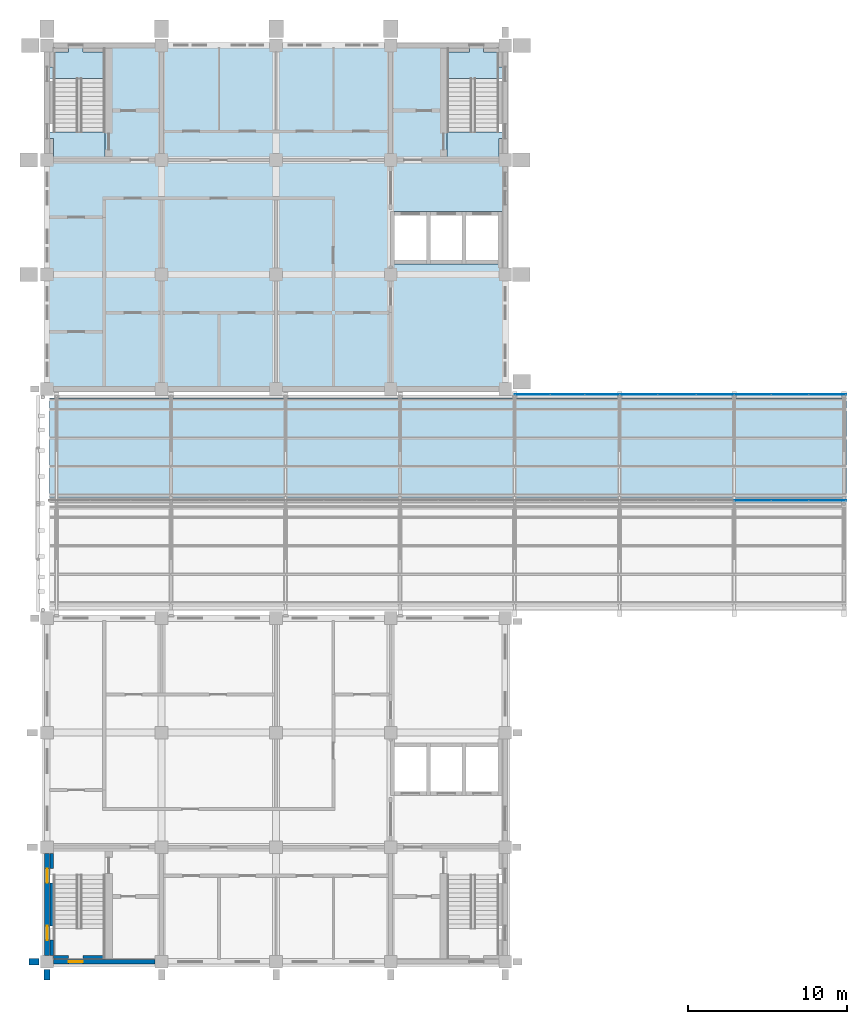
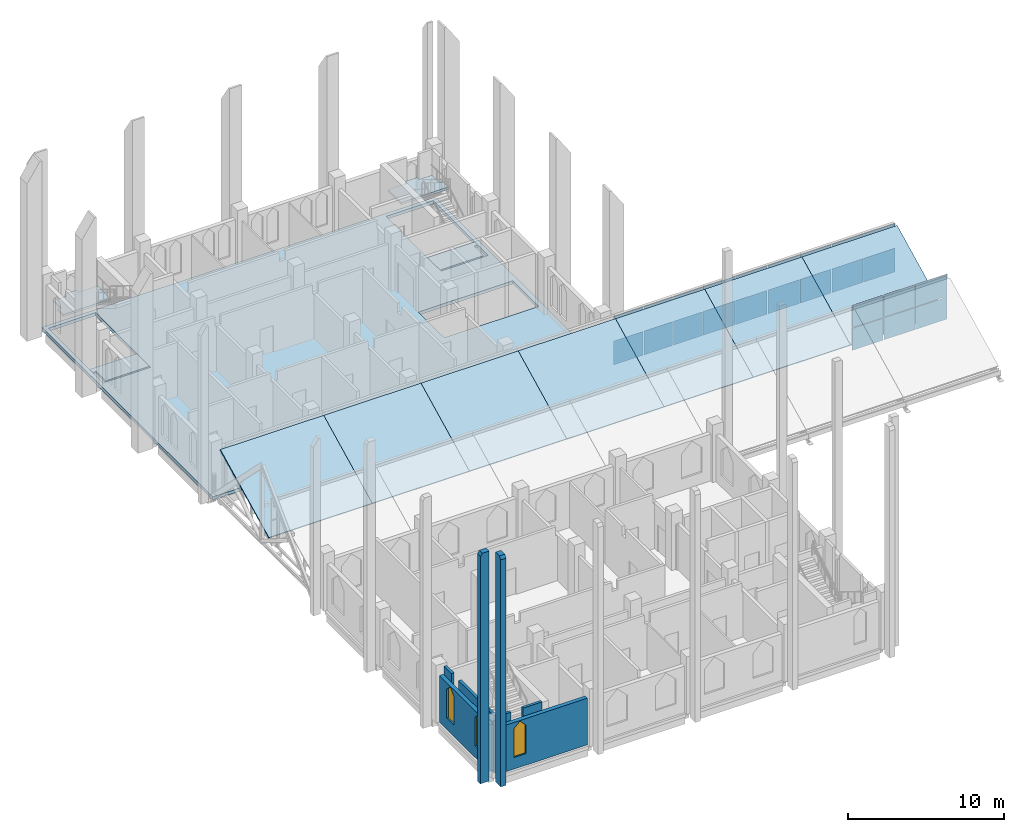
# One storey, part 17 of 29: 24 plates, 12 slabs, 9 walls, 3 windows, 3 openings, 6 elements without a shape of their own.
"""IFC4 building model written with IfcOpenShell, lengths in metres."""

from ifc_helpers import new_model, si_unit, direction, frame, frame_2d, origin, place, context, subcontext, project, spatial, polyline, rectangle, outline, extrude, material, layer, layer_set, type_object, element, fill, aggregate, save


model = new_model("IFC4")

# Units and contexts
model_context = context("Model", 3, precision=1e-05, world=origin(), true_north=direction((0.0, 1.0)))
body_context = subcontext(model_context, "Body", "Model", "MODEL_VIEW")
ifc_project = project(units=[si_unit("LENGTHUNIT", "METRE"), si_unit("AREAUNIT", "SQUARE_METRE"), si_unit("VOLUMEUNIT", "CUBIC_METRE"), si_unit("PLANEANGLEUNIT", "RADIAN"), si_unit("MASSUNIT", "GRAM", prefix="KILO")], contexts=[model_context])

# Site, building, storey
site_placement = place(None, origin())
site = spatial("IfcSite", under=ifc_project, at=site_placement, CompositionType="ELEMENT")
building_placement = place(site_placement, origin())
building = spatial("IfcBuilding", under=site, at=building_placement, Name="Silangan Lancet Faculty of Sciences", CompositionType="ELEMENT")
storey_placement = place(building_placement, frame((0.0, 0.0, 40.800048828125)))
storey = spatial("IfcBuildingStorey", under=building, at=storey_placement, Name="L08", CompositionType="ELEMENT", Elevation=40.800048828125)

# Curtain wall, plates
ifc_material_1 = material(Name="Aluminium and laminated glass", Category="aluminium")
curtain_wall_type = type_object("IfcCurtainWallType", Name="North light glazing system", PredefinedType="NOTDEFINED", material=ifc_material_1)
curtain_wall_1_placement = place(storey_placement, origin())
curtain_wall_1 = element("IfcCurtainWall", 1, at=curtain_wall_1_placement, inside=storey, type_object=curtain_wall_type, Name="North light glazing ATRIUM-2-5", PredefinedType="NOTDEFINED")
ifc_material_2 = material(Name="Laminated glass 12 + 12", Category="glass")
ifc_layer_1 = layer(ifc_material_2, 0.02392578125)
ifc_layer_set_1 = layer_set([ifc_layer_1], Name="Laminated glass 12 + 12")
plate_type_1 = type_object("IfcPlateType", Name="North light glass panel 2130x1864", PredefinedType="CURTAIN_PANEL", material=ifc_layer_set_1)
plate_1_placement = place(storey_placement, frame((31.64990234375, 35.64306640625, 0.099853515625), z_axis=(0.0, -1.0, 0.0), x_axis=(1.0, 0.0, 0.0)))
plate_1 = element("IfcPlate", 2, at=plate_1_placement, type_object=plate_type_1, Name="North light glass ATRIUM-2-5 1-2", PredefinedType="CURTAIN_PANEL", context=body_context, shape_type="SweptSolid", body=[
    extrude(outline(polyline([(0.0, 0.0), (2.130126953125, 0.0), (2.130126953125, 1.864013671875), (0.0, 1.864013671875), (0.0, 0.0)])), origin(), (0.0, 0.0, -1.0), 0.02392578125),
])
plate_2_placement = place(storey_placement, frame((31.64990234375, 35.64306640625, 2.02392578125), z_axis=(0.0, -1.0, 0.0), x_axis=(1.0, 0.0, 0.0)))
plate_2 = element("IfcPlate", 3, at=plate_2_placement, type_object=plate_type_1, Name="North light glass ATRIUM-2-5 2-2", PredefinedType="CURTAIN_PANEL", context=body_context, shape_type="SweptSolid", body=[
    extrude(outline(polyline([(0.0, 0.0), (2.130126953125, 0.0), (2.130126953125, 1.864013671875), (0.0, 1.864013671875), (0.0, 0.0)])), origin(), (0.0, 0.0, -1.0), 0.02392578125),
])
plate_3_placement = place(storey_placement, frame((33.840087890625, 35.64306640625, 0.099853515625), z_axis=(0.0, -1.0, 0.0), x_axis=(1.0, 0.0, 0.0)))
plate_3 = element("IfcPlate", 4, at=plate_3_placement, type_object=plate_type_1, Name="North light glass ATRIUM-2-5 1-3", PredefinedType="CURTAIN_PANEL", context=body_context, shape_type="SweptSolid", body=[
    extrude(outline(polyline([(0.0, 0.0), (2.1298828125, 0.0), (2.1298828125, 1.864013671875), (0.0, 1.864013671875), (0.0, 0.0)])), origin(), (0.0, 0.0, -1.0), 0.02392578125),
])
plate_4_placement = place(storey_placement, frame((33.840087890625, 35.64306640625, 2.02392578125), z_axis=(0.0, -1.0, 0.0), x_axis=(1.0, 0.0, 0.0)))
plate_4 = element("IfcPlate", 5, at=plate_4_placement, type_object=plate_type_1, Name="North light glass ATRIUM-2-5 2-3", PredefinedType="CURTAIN_PANEL", context=body_context, shape_type="SweptSolid", body=[
    extrude(outline(polyline([(0.0, 0.0), (2.1298828125, 0.0), (2.1298828125, 1.864013671875), (0.0, 1.864013671875), (0.0, 0.0)])), origin(), (0.0, 0.0, -1.0), 0.02392578125),
])
ifc_material_3 = material(Name="Laminated glass 12 + 12", Category="glass")
ifc_layer_2 = layer(ifc_material_3, 0.02392578125)
ifc_layer_set_2 = layer_set([ifc_layer_2], Name="Laminated glass 12 + 12")
plate_type_2 = type_object("IfcPlateType", Name="North light glass panel 2190x1864", PredefinedType="CURTAIN_PANEL", material=ifc_layer_set_2)
plate_5_placement = place(storey_placement, frame((29.39990234375, 35.64306640625, 0.099853515625), z_axis=(0.0, -1.0, 0.0), x_axis=(1.0, 0.0, 0.0)))
plate_5 = element("IfcPlate", 6, at=plate_5_placement, type_object=plate_type_2, Name="North light glass ATRIUM-2-5 1-1", PredefinedType="CURTAIN_PANEL", context=body_context, shape_type="SweptSolid", body=[
    extrude(outline(polyline([(0.0, 0.0), (2.190185546875, 0.0), (2.190185546875, 1.864013671875), (0.0, 1.864013671875), (0.0, 0.0)])), origin(), (0.0, 0.0, -1.0), 0.02392578125),
])
plate_6_placement = place(storey_placement, frame((29.39990234375, 35.64306640625, 2.02392578125), z_axis=(0.0, -1.0, 0.0), x_axis=(1.0, 0.0, 0.0)))
plate_6 = element("IfcPlate", 7, at=plate_6_placement, type_object=plate_type_2, Name="North light glass ATRIUM-2-5 2-1", PredefinedType="CURTAIN_PANEL", context=body_context, shape_type="SweptSolid", body=[
    extrude(outline(polyline([(0.0, 0.0), (2.190185546875, 0.0), (2.190185546875, 1.864013671875), (0.0, 1.864013671875), (0.0, 0.0)])), origin(), (0.0, 0.0, -1.0), 0.02392578125),
])
aggregate(curtain_wall_1, [plate_5, plate_6, plate_1, plate_2, plate_3, plate_4])

curtain_wall_2_placement = place(storey_placement, origin())
curtain_wall_2 = element("IfcCurtainWall", 8, at=curtain_wall_2_placement, inside=storey, type_object=curtain_wall_type, Name="North light glazing ATRIUM-1-7", PredefinedType="NOTDEFINED")
ifc_material_4 = material(Name="Laminated glass 12 + 12", Category="glass")
ifc_layer_3 = layer(ifc_material_4, 0.02392578125)
ifc_layer_set_3 = layer_set([ifc_layer_3], Name="Laminated glass 12 + 12")
plate_type_3 = type_object("IfcPlateType", Name="North light glass panel 2280x1721", PredefinedType="CURTAIN_PANEL", material=ifc_layer_set_3)
plate_7_placement = place(storey_placement, frame((43.22998046875, 28.98291015625, 0.442138671875), z_axis=(0.0, -1.0, 0.0), x_axis=(1.0, 0.0, 0.0)))
plate_7 = element("IfcPlate", 9, at=plate_7_placement, type_object=plate_type_3, Name="North light glass ATRIUM-1-7 1-1", PredefinedType="CURTAIN_PANEL", context=body_context, shape_type="SweptSolid", body=[
    extrude(outline(polyline([(0.0, 0.0), (2.280029296875, 0.0), (2.280029296875, 1.72119140625), (0.0, 1.72119140625), (0.0, 0.0)])), origin(), (0.0, 0.0, -1.0), 0.02392578125),
])
plate_8_placement = place(storey_placement, frame((43.22998046875, 28.98291015625, 2.22314453125), z_axis=(0.0, -1.0, 0.0), x_axis=(1.0, 0.0, 0.0)))
plate_8 = element("IfcPlate", 10, at=plate_8_placement, type_object=plate_type_3, Name="North light glass ATRIUM-1-7 2-1", PredefinedType="CURTAIN_PANEL", context=body_context, shape_type="SweptSolid", body=[
    extrude(outline(polyline([(0.0, 0.0), (2.280029296875, 0.0), (2.280029296875, 1.72119140625), (0.0, 1.72119140625), (0.0, 0.0)])), origin(), (0.0, 0.0, -1.0), 0.02392578125),
])
plate_9_placement = place(storey_placement, frame((45.570068359375, 28.98291015625, 0.442138671875), z_axis=(0.0, -1.0, 0.0), x_axis=(1.0, 0.0, 0.0)))
plate_9 = element("IfcPlate", 11, at=plate_9_placement, type_object=plate_type_3, Name="North light glass ATRIUM-1-7 1-2", PredefinedType="CURTAIN_PANEL", context=body_context, shape_type="SweptSolid", body=[
    extrude(outline(polyline([(0.0, 0.0), (2.280029296875, 0.0), (2.280029296875, 1.72119140625), (0.0, 1.72119140625), (0.0, 0.0)])), origin(), (0.0, 0.0, -1.0), 0.02392578125),
])
plate_10_placement = place(storey_placement, frame((45.570068359375, 28.98291015625, 2.22314453125), z_axis=(0.0, -1.0, 0.0), x_axis=(1.0, 0.0, 0.0)))
plate_10 = element("IfcPlate", 12, at=plate_10_placement, type_object=plate_type_3, Name="North light glass ATRIUM-1-7 2-2", PredefinedType="CURTAIN_PANEL", context=body_context, shape_type="SweptSolid", body=[
    extrude(outline(polyline([(0.0, 0.0), (2.280029296875, 0.0), (2.280029296875, 1.72119140625), (0.0, 1.72119140625), (0.0, 0.0)])), origin(), (0.0, 0.0, -1.0), 0.02392578125),
])

curtain_wall_3_placement = place(storey_placement, origin())
curtain_wall_3 = element("IfcCurtainWall", 13, at=curtain_wall_3_placement, inside=storey, type_object=curtain_wall_type, Name="North light glazing ATRIUM-2-7", PredefinedType="NOTDEFINED")
ifc_material_5 = material(Name="Laminated glass 12 + 12", Category="glass")
ifc_layer_4 = layer(ifc_material_5, 0.02392578125)
ifc_layer_set_4 = layer_set([ifc_layer_4], Name="Laminated glass 12 + 12")
plate_type_4 = type_object("IfcPlateType", Name="North light glass panel 2280x1864", PredefinedType="CURTAIN_PANEL", material=ifc_layer_set_4)
plate_11_placement = place(storey_placement, frame((43.22998046875, 35.64306640625, 0.099853515625), z_axis=(0.0, -1.0, 0.0), x_axis=(1.0, 0.0, 0.0)))
plate_11 = element("IfcPlate", 14, at=plate_11_placement, type_object=plate_type_4, Name="North light glass ATRIUM-2-7 1-1", PredefinedType="CURTAIN_PANEL", context=body_context, shape_type="SweptSolid", body=[
    extrude(outline(polyline([(0.0, 0.0), (2.280029296875, 0.0), (2.280029296875, 1.864013671875), (0.0, 1.864013671875), (0.0, 0.0)])), origin(), (0.0, 0.0, -1.0), 0.02392578125),
])
plate_12_placement = place(storey_placement, frame((43.22998046875, 35.64306640625, 2.02392578125), z_axis=(0.0, -1.0, 0.0), x_axis=(1.0, 0.0, 0.0)))
plate_12 = element("IfcPlate", 15, at=plate_12_placement, type_object=plate_type_4, Name="North light glass ATRIUM-2-7 2-1", PredefinedType="CURTAIN_PANEL", context=body_context, shape_type="SweptSolid", body=[
    extrude(outline(polyline([(0.0, 0.0), (2.280029296875, 0.0), (2.280029296875, 1.864013671875), (0.0, 1.864013671875), (0.0, 0.0)])), origin(), (0.0, 0.0, -1.0), 0.02392578125),
])
plate_13_placement = place(storey_placement, frame((45.570068359375, 35.64306640625, 0.099853515625), z_axis=(0.0, -1.0, 0.0), x_axis=(1.0, 0.0, 0.0)))
plate_13 = element("IfcPlate", 16, at=plate_13_placement, type_object=plate_type_4, Name="North light glass ATRIUM-2-7 1-2", PredefinedType="CURTAIN_PANEL", context=body_context, shape_type="SweptSolid", body=[
    extrude(outline(polyline([(0.0, 0.0), (2.280029296875, 0.0), (2.280029296875, 1.864013671875), (0.0, 1.864013671875), (0.0, 0.0)])), origin(), (0.0, 0.0, -1.0), 0.02392578125),
])
plate_14_placement = place(storey_placement, frame((45.570068359375, 35.64306640625, 2.02392578125), z_axis=(0.0, -1.0, 0.0), x_axis=(1.0, 0.0, 0.0)))
plate_14 = element("IfcPlate", 17, at=plate_14_placement, type_object=plate_type_4, Name="North light glass ATRIUM-2-7 2-2", PredefinedType="CURTAIN_PANEL", context=body_context, shape_type="SweptSolid", body=[
    extrude(outline(polyline([(0.0, 0.0), (2.280029296875, 0.0), (2.280029296875, 1.864013671875), (0.0, 1.864013671875), (0.0, 0.0)])), origin(), (0.0, 0.0, -1.0), 0.02392578125),
])

# Plate
ifc_material_6 = material(Name="Laminated glass 12 + 12", Category="glass")
ifc_layer_5 = layer(ifc_material_6, 0.02392578125)
ifc_layer_set_5 = layer_set([ifc_layer_5], Name="Laminated glass 12 + 12")
plate_type_5 = type_object("IfcPlateType", Name="North light glass panel 2340x1721", PredefinedType="CURTAIN_PANEL", material=ifc_layer_set_5)
plate_15_placement = place(storey_placement, frame((47.909912109375, 28.98291015625, 0.442138671875), z_axis=(0.0, -1.0, 0.0), x_axis=(1.0, 0.0, 0.0)))
plate_15 = element("IfcPlate", 18, at=plate_15_placement, type_object=plate_type_5, Name="North light glass ATRIUM-1-7 1-3", PredefinedType="CURTAIN_PANEL", context=body_context, shape_type="SweptSolid", body=[
    extrude(outline(polyline([(0.0, 0.0), (2.340087890625, 0.0), (2.340087890625, 1.72119140625), (0.0, 1.72119140625), (0.0, 0.0)])), origin(), (0.0, 0.0, -1.0), 0.02392578125),
])

plate_16_placement = place(storey_placement, frame((47.909912109375, 28.98291015625, 2.22314453125), z_axis=(0.0, -1.0, 0.0), x_axis=(1.0, 0.0, 0.0)))
plate_16 = element("IfcPlate", 19, at=plate_16_placement, type_object=plate_type_5, Name="North light glass ATRIUM-1-7 2-3", PredefinedType="CURTAIN_PANEL", context=body_context, shape_type="SweptSolid", body=[
    extrude(outline(polyline([(0.0, 0.0), (2.340087890625, 0.0), (2.340087890625, 1.72119140625), (0.0, 1.72119140625), (0.0, 0.0)])), origin(), (0.0, 0.0, -1.0), 0.02392578125),
])

aggregate(curtain_wall_2, [plate_7, plate_8, plate_9, plate_10, plate_15, plate_16])

# Curtain wall, plates
curtain_wall_4_placement = place(storey_placement, origin())
curtain_wall_4 = element("IfcCurtainWall", 20, at=curtain_wall_4_placement, inside=storey, type_object=curtain_wall_type, Name="North light glazing ATRIUM-2-6", PredefinedType="NOTDEFINED")
ifc_material_7 = material(Name="Laminated glass 12 + 12", Category="glass")
ifc_layer_6 = layer(ifc_material_7, 0.02392578125)
ifc_layer_set_6 = layer_set([ifc_layer_6], Name="Laminated glass 12 + 12")
plate_type_6 = type_object("IfcPlateType", Name="North light glass panel 2340x1864", PredefinedType="CURTAIN_PANEL", material=ifc_layer_set_6)
plate_17_placement = place(storey_placement, frame((36.030029296875, 35.64306640625, 0.099853515625), z_axis=(0.0, -1.0, 0.0), x_axis=(1.0, 0.0, 0.0)))
plate_17 = element("IfcPlate", 21, at=plate_17_placement, type_object=plate_type_6, Name="North light glass ATRIUM-2-6 1-1", PredefinedType="CURTAIN_PANEL", context=body_context, shape_type="SweptSolid", body=[
    extrude(outline(polyline([(0.0, 0.0), (2.340087890625, 0.0), (2.340087890625, 1.864013671875), (0.0, 1.864013671875), (0.0, 0.0)])), origin(), (0.0, 0.0, -1.0), 0.02392578125),
])
plate_18_placement = place(storey_placement, frame((36.030029296875, 35.64306640625, 2.02392578125), z_axis=(0.0, -1.0, 0.0), x_axis=(1.0, 0.0, 0.0)))
plate_18 = element("IfcPlate", 22, at=plate_18_placement, type_object=plate_type_6, Name="North light glass ATRIUM-2-6 2-1", PredefinedType="CURTAIN_PANEL", context=body_context, shape_type="SweptSolid", body=[
    extrude(outline(polyline([(0.0, 0.0), (2.340087890625, 0.0), (2.340087890625, 1.864013671875), (0.0, 1.864013671875), (0.0, 0.0)])), origin(), (0.0, 0.0, -1.0), 0.02392578125),
])
plate_19_placement = place(storey_placement, frame((38.429931640625, 35.64306640625, 0.099853515625), z_axis=(0.0, -1.0, 0.0), x_axis=(1.0, 0.0, 0.0)))
plate_19 = element("IfcPlate", 23, at=plate_19_placement, type_object=plate_type_6, Name="North light glass ATRIUM-2-6 1-2", PredefinedType="CURTAIN_PANEL", context=body_context, shape_type="SweptSolid", body=[
    extrude(outline(polyline([(0.0, 0.0), (2.340087890625, 0.0), (2.340087890625, 1.864013671875), (0.0, 1.864013671875), (0.0, 0.0)])), origin(), (0.0, 0.0, -1.0), 0.02392578125),
])
plate_20_placement = place(storey_placement, frame((38.429931640625, 35.64306640625, 2.02392578125), z_axis=(0.0, -1.0, 0.0), x_axis=(1.0, 0.0, 0.0)))
plate_20 = element("IfcPlate", 24, at=plate_20_placement, type_object=plate_type_6, Name="North light glass ATRIUM-2-6 2-2", PredefinedType="CURTAIN_PANEL", context=body_context, shape_type="SweptSolid", body=[
    extrude(outline(polyline([(0.0, 0.0), (2.340087890625, 0.0), (2.340087890625, 1.864013671875), (0.0, 1.864013671875), (0.0, 0.0)])), origin(), (0.0, 0.0, -1.0), 0.02392578125),
])
plate_21_placement = place(storey_placement, frame((40.830078125, 35.64306640625, 0.099853515625), z_axis=(0.0, -1.0, 0.0), x_axis=(1.0, 0.0, 0.0)))
plate_21 = element("IfcPlate", 25, at=plate_21_placement, type_object=plate_type_6, Name="North light glass ATRIUM-2-6 1-3", PredefinedType="CURTAIN_PANEL", context=body_context, shape_type="SweptSolid", body=[
    extrude(outline(polyline([(0.0, 0.0), (2.33984375, 0.0), (2.33984375, 1.864013671875), (0.0, 1.864013671875), (0.0, 0.0)])), origin(), (0.0, 0.0, -1.0), 0.02392578125),
])
plate_22_placement = place(storey_placement, frame((40.830078125, 35.64306640625, 2.02392578125), z_axis=(0.0, -1.0, 0.0), x_axis=(1.0, 0.0, 0.0)))
plate_22 = element("IfcPlate", 26, at=plate_22_placement, type_object=plate_type_6, Name="North light glass ATRIUM-2-6 2-3", PredefinedType="CURTAIN_PANEL", context=body_context, shape_type="SweptSolid", body=[
    extrude(outline(polyline([(0.0, 0.0), (2.33984375, 0.0), (2.33984375, 1.864013671875), (0.0, 1.864013671875), (0.0, 0.0)])), origin(), (0.0, 0.0, -1.0), 0.02392578125),
])
aggregate(curtain_wall_4, [plate_17, plate_18, plate_19, plate_20, plate_21, plate_22])

# Plate
plate_23_placement = place(storey_placement, frame((47.909912109375, 35.64306640625, 0.099853515625), z_axis=(0.0, -1.0, 0.0), x_axis=(1.0, 0.0, 0.0)))
plate_23 = element("IfcPlate", 27, at=plate_23_placement, type_object=plate_type_6, Name="North light glass ATRIUM-2-7 1-3", PredefinedType="CURTAIN_PANEL", context=body_context, shape_type="SweptSolid", body=[
    extrude(outline(polyline([(0.0, 0.0), (2.340087890625, 0.0), (2.340087890625, 1.864013671875), (0.0, 1.864013671875), (0.0, 0.0)])), origin(), (0.0, 0.0, -1.0), 0.02392578125),
])

plate_24_placement = place(storey_placement, frame((47.909912109375, 35.64306640625, 2.02392578125), z_axis=(0.0, -1.0, 0.0), x_axis=(1.0, 0.0, 0.0)))
plate_24 = element("IfcPlate", 28, at=plate_24_placement, type_object=plate_type_6, Name="North light glass ATRIUM-2-7 2-3", PredefinedType="CURTAIN_PANEL", context=body_context, shape_type="SweptSolid", body=[
    extrude(outline(polyline([(0.0, 0.0), (2.340087890625, 0.0), (2.340087890625, 1.864013671875), (0.0, 1.864013671875), (0.0, 0.0)])), origin(), (0.0, 0.0, -1.0), 0.02392578125),
])

aggregate(curtain_wall_3, [plate_11, plate_12, plate_13, plate_14, plate_23, plate_24])

# Slabs
ifc_material_8 = material(Name="Insulated cold-formed steel roof sheeting", Category="steel")
ifc_layer_7 = layer(ifc_material_8, 0.10009765625)
ifc_layer_set_7 = layer_set([ifc_layer_7], Name="Insulated cold-formed steel roof sheeting")
slab_type_1 = type_object("IfcSlabType", Name="Roof sheeting panel 100", PredefinedType="ROOF", material=ifc_layer_set_7)
slab_1_placement = place(storey_placement, frame((0.14990234375, 29.169921875, 0.770263671875), z_axis=(0.0, -0.447199564554, 0.894434206335), x_axis=(1.0, 0.0, 0.0)))
element("IfcSlab", 29, at=slab_1_placement, inside=storey, type_object=slab_type_1, Name="Roof sheeting ATRIUM-2-1", PredefinedType="ROOF", context=body_context, shape_type="SweptSolid", body=[
    extrude(outline(polyline([(0.0, 0.0), (7.650146484375, 0.0), (7.650146484375, 6.960089129844615), (0.0, 6.960089129844615), (0.0, 0.0)])), origin(), (0.0, 0.0, -1.0), 0.10009765625),
])
for number, where, z_axis, x_axis, name in (
    (30, (7.800048828125, 29.169921875, 0.770263671875), (0.0, -0.447199564554, 0.894434206335), (1.0, 0.0, 0.0), "Roof sheeting ATRIUM-2-2"),
    (31, (15.0, 29.169921875, 0.770263671875), (0.0, -0.447199564554, 0.894434206335), (1.0, 0.0, 0.0), "Roof sheeting ATRIUM-2-3"),
    (32, (22.199951171875, 29.169921875, 0.770263671875), (0.0, -0.447199564554, 0.894434206335), (1.0, 0.0, 0.0), "Roof sheeting ATRIUM-2-4"),
):
    element("IfcSlab", number, at=place(storey_placement, frame(where, z_axis=z_axis, x_axis=x_axis)), inside=storey, type_object=slab_type_1, Name=name, PredefinedType="ROOF", context=body_context, shape_type="SweptSolid", body=[
        extrude(outline(polyline([(0.0, 0.0), (7.199951171875, 0.0), (7.199951171875, 6.960089129844615), (0.0, 6.960089129844615), (0.0, 0.0)])), origin(), (0.0, 0.0, -1.0), 0.10009765625),
    ])
slab_2_placement = place(storey_placement, frame((29.39990234375, 29.169921875, 0.770263671875), z_axis=(0.0, -0.447199564554, 0.894434206335), x_axis=(1.0, 0.0, 0.0)))
element("IfcSlab", 33, at=slab_2_placement, inside=storey, type_object=slab_type_1, Name="Roof sheeting ATRIUM-2-5", PredefinedType="ROOF", context=body_context, shape_type="SweptSolid", body=[
    extrude(outline(polyline([(0.0, 0.0), (6.60009765625, 0.0), (6.60009765625, 6.960089129844616), (0.0, 6.960089129844616), (0.0, 0.0)])), origin(), (0.0, 0.0, -1.0), 0.10009765625),
])
slab_3_placement = place(storey_placement, frame((36.0, 29.169921875, 0.770263671875), z_axis=(0.0, -0.447199564554, 0.894434206335), x_axis=(1.0, 0.0, 0.0)))
element("IfcSlab", 34, at=slab_3_placement, inside=storey, type_object=slab_type_1, Name="Roof sheeting ATRIUM-2-6", PredefinedType="ROOF", context=body_context, shape_type="SweptSolid", body=[
    extrude(outline(polyline([(0.0, 0.0), (7.199951171875, 0.0), (7.199951171875, 6.960089129844615), (0.0, 6.960089129844615), (0.0, 0.0)])), origin(), (0.0, 0.0, -1.0), 0.10009765625),
])
slab_4_placement = place(storey_placement, frame((43.199951171875, 29.169921875, 0.770263671875), z_axis=(0.0, -0.447199564554, 0.894434206335), x_axis=(1.0, 0.0, 0.0)))
element("IfcSlab", 35, at=slab_4_placement, inside=storey, type_object=slab_type_1, Name="Roof sheeting ATRIUM-2-7", PredefinedType="ROOF", context=body_context, shape_type="SweptSolid", body=[
    extrude(outline(polyline([(0.0, 0.0), (7.050048828125, 0.0), (7.050048828125, 6.960089129844615), (0.0, 6.960089129844615), (0.0, 0.0)])), origin(), (0.0, 0.0, -1.0), 0.10009765625),
])
ifc_material_9 = material(Name="Concrete C35/45", Category="concrete")
ifc_layer_8 = layer(ifc_material_9, 0.25)
ifc_layer_set_8 = layer_set([ifc_layer_8], Name="Concrete C35/45")
slab_type_2 = type_object("IfcSlabType", Name="SLAB FLOOR 250", PredefinedType="FLOOR", material=ifc_layer_set_8)
slab_5_placement = place(storey_placement, frame((0.0, 0.0, -0.25)))
element("IfcSlab", 36, at=slab_5_placement, inside=storey, type_object=slab_type_2, Name="SLAB-L08-NT", PredefinedType="FLOOR", context=body_context, shape_type="SweptSolid", body=[
    extrude(outline(polyline([(-0.14990234375, 35.85009765625), (28.949951171875, 35.85009765625), (28.949951171875, 57.75), (-0.14990234375, 57.75), (-0.14990234375, 35.85009765625)]), holes=[polyline([(21.60009765625, 43.85009765625), (21.60009765625, 47.14990234375), (28.60009765625, 47.14990234375), (28.60009765625, 43.85009765625), (21.60009765625, 43.85009765625)]), polyline([(0.14990234375, 57.449951171875), (3.64990234375, 57.449951171875), (3.64990234375, 50.39990234375), (0.14990234375, 50.39990234375), (0.14990234375, 57.449951171875)]), polyline([(25.14990234375, 57.449951171875), (28.64990234375, 57.449951171875), (28.64990234375, 50.39990234375), (25.14990234375, 50.39990234375), (25.14990234375, 57.449951171875)])]), origin(), (0.0, 0.0, 1.0), 0.25),
])

# Stair, slabs
ifc_material_10 = material(Name="Concrete C40/50", Category="concrete")
stair_type = type_object("IfcStairType", Name="TURRET STAIR 1550 TWO-FLIGHT", PredefinedType="HALF_TURN_STAIR", material=ifc_material_10)
stair_1_placement = place(storey_placement, origin())
stair_1 = element("IfcStair", 37, at=stair_1_placement, inside=storey, type_object=stair_type, Name="NT-A stair L08", PredefinedType="HALF_TURN_STAIR")
ifc_material_11 = material(Name="Concrete C40/50", Category="concrete")
ifc_layer_9 = layer(ifc_material_11, 0.179931640625)
ifc_layer_set_9 = layer_set([ifc_layer_9], Name="Concrete C40/50")
slab_type_3 = type_object("IfcSlabType", Name="TURRET STAIR LANDING RC 180", PredefinedType="LANDING", material=ifc_layer_set_9)
slab_6_placement = place(storey_placement, frame((0.0, 0.0, -0.179931640625)))
slab_6 = element("IfcSlab", 38, at=slab_6_placement, type_object=slab_type_3, Name="STR3 landing 1", PredefinedType="LANDING", context=body_context, shape_type="SweptSolid", body=[
    extrude(outline(polyline([(0.14990234375, 52.14990234375), (3.64990234375, 52.14990234375), (3.64990234375, 50.52490234375), (0.39990234375, 50.52490234375), (0.39990234375, 51.75), (0.14990234375, 51.75), (0.14990234375, 52.14990234375)])), origin(), (0.0, 0.0, 1.0), 0.179931640625),
])
slab_7_placement = place(storey_placement, frame((0.0, 0.0, 2.070068359375)))
slab_7 = element("IfcSlab", 39, at=slab_7_placement, type_object=slab_type_3, Name="STR3 landing 2", PredefinedType="LANDING", context=body_context, shape_type="SweptSolid", body=[
    extrude(outline(polyline([(0.14990234375, 55.510009765625), (0.14990234375, 56.25), (0.39990234375, 56.25), (0.39990234375, 57.199951171875), (1.35009765625, 57.199951171875), (1.35009765625, 57.449951171875), (2.25, 57.449951171875), (2.25, 57.199951171875), (3.64990234375, 57.199951171875), (3.64990234375, 55.510009765625), (0.14990234375, 55.510009765625)])), origin(), (0.0, 0.0, 1.0), 0.179931640625),
])
aggregate(stair_1, [slab_6, slab_7])

stair_2_placement = place(storey_placement, origin())
stair_2 = element("IfcStair", 40, at=stair_2_placement, inside=storey, type_object=stair_type, Name="NT-B stair L08", PredefinedType="HALF_TURN_STAIR")
slab_8_placement = place(storey_placement, frame((0.0, 0.0, -0.179931640625)))
slab_8 = element("IfcSlab", 41, at=slab_8_placement, type_object=slab_type_3, Name="STR4 landing 1", PredefinedType="LANDING", context=body_context, shape_type="SweptSolid", body=[
    extrude(outline(polyline([(28.64990234375, 51.75), (28.39990234375, 51.75), (28.39990234375, 50.52490234375), (25.14990234375, 50.52490234375), (25.14990234375, 52.14990234375), (28.64990234375, 52.14990234375), (28.64990234375, 51.75)])), origin(), (0.0, 0.0, 1.0), 0.179931640625),
])
slab_9_placement = place(storey_placement, frame((0.0, 0.0, 2.070068359375)))
slab_9 = element("IfcSlab", 42, at=slab_9_placement, type_object=slab_type_3, Name="STR4 landing 2", PredefinedType="LANDING", context=body_context, shape_type="SweptSolid", body=[
    extrude(outline(polyline([(26.550048828125, 57.199951171875), (26.550048828125, 57.449951171875), (27.449951171875, 57.449951171875), (27.449951171875, 57.199951171875), (28.39990234375, 57.199951171875), (28.39990234375, 56.25), (28.64990234375, 56.25), (28.64990234375, 55.510009765625), (25.14990234375, 55.510009765625), (25.14990234375, 57.199951171875), (26.550048828125, 57.199951171875)])), origin(), (0.0, 0.0, 1.0), 0.179931640625),
])
aggregate(stair_2, [slab_8, slab_9])

# Wall, openings, windows
ifc_material_12 = material(Name="Concrete C40/50 precast", Category="concrete")
ifc_layer_10 = layer(ifc_material_12, 0.300048828125)
ifc_layer_set_10 = layer_set([ifc_layer_10], Name="Concrete C40/50 precast")
wall_type_1 = type_object("IfcWallType", Name="EW2 Turret enclosure wall", PredefinedType="STANDARD", material=ifc_layer_set_10)
wall_1_placement = place(storey_placement, frame((0.0, 0.39990234375, 0.0), z_axis=(0.0, 0.0, 1.0), x_axis=(0.0, 1.0, 0.0)))
wall_1 = element("IfcWall", 43, at=wall_1_placement, inside=storey, type_object=wall_type_1, Name="EW-L08-W-ST-00", PredefinedType="STANDARD", context=body_context, shape_type="SweptSolid", body=[
    extrude(rectangle(XDim=6.400146484375, YDim=0.300048828125, at=frame_2d((3.2001953125, 0.0))), origin(), (0.0, 0.0, 1.0), 3.64990234375),
])
opening_1_placement = place(wall_1_placement, frame((0.949951171875, 0.0, 0.89990234375)))
opening_1 = element("IfcOpeningElement", 44, at=opening_1_placement, cuts=wall_1, Name="Opening W22", PredefinedType="OPENING", context=body_context, shape_type="SweptSolid", body=[
    extrude(outline(polyline([(0.0, 0.0), (0.89990234375, 0.0), (0.89990234375, 2.25), (0.449951171875, 2.699951171875), (0.0, 2.25), (0.0, 0.0)])), frame((0.0, 0.159912109375, 0.0), z_axis=(0.0, -1.0, 0.0), x_axis=(1.0, 0.0, 0.0)), (0.0, 0.0, 1.0), 0.320068359375),
])
opening_2_placement = place(wall_1_placement, frame((4.550048828125, 0.0, 0.89990234375)))
opening_2 = element("IfcOpeningElement", 45, at=opening_2_placement, cuts=wall_1, Name="Opening W22", PredefinedType="OPENING", context=body_context, shape_type="SweptSolid", body=[
    extrude(outline(polyline([(0.0, 0.0), (0.89990234375, 0.0), (0.89990234375, 2.25), (0.449951171875, 2.699951171875), (0.0, 2.25), (0.0, 0.0)])), frame((0.0, 0.159912109375, 0.0), z_axis=(0.0, -1.0, 0.0), x_axis=(1.0, 0.0, 0.0)), (0.0, 0.0, 1.0), 0.320068359375),
])
ifc_material_13 = material(Name="Aluminium frame, laminated double glazing", Category="aluminium")
window_type = type_object("IfcWindowType", Name="W22 Lancet window 900 x 2700", PartitioningType="SINGLE_PANEL", PredefinedType="WINDOW", material=ifc_material_13)
window_1_placement = place(opening_1_placement, origin())
window_1 = element("IfcWindow", 46, at=window_1_placement, inside=storey, type_object=window_type, Name="WIN-L08-W-ST-00a", OverallHeight=2.699951171875, OverallWidth=0.89990234375, PartitioningType="SINGLE_PANEL", PredefinedType="WINDOW", context=body_context, shape_type="SweptSolid", body=[
    extrude(outline(polyline([(0.0, 0.0), (0.89990234375, 0.0), (0.89990234375, 2.25), (0.449951171875, 2.699951171875), (0.0, 2.25), (0.0, 0.0)])), frame((0.0, 0.030029296875, 0.0), z_axis=(0.0, -1.0, 0.0), x_axis=(1.0, 0.0, 0.0)), (0.0, 0.0, 1.0), 0.06005859375),
])
fill(opening_1, window_1)
window_2_placement = place(opening_2_placement, origin())
window_2 = element("IfcWindow", 47, at=window_2_placement, inside=storey, type_object=window_type, Name="WIN-L08-W-ST-00b", OverallHeight=2.699951171875, OverallWidth=0.89990234375, PartitioningType="SINGLE_PANEL", PredefinedType="WINDOW", context=body_context, shape_type="SweptSolid", body=[
    extrude(outline(polyline([(0.0, 0.0), (0.89990234375, 0.0), (0.89990234375, 2.25), (0.449951171875, 2.699951171875), (0.0, 2.25), (0.0, 0.0)])), frame((0.0, 0.030029296875, 0.0), z_axis=(0.0, -1.0, 0.0), x_axis=(1.0, 0.0, 0.0)), (0.0, 0.0, 1.0), 0.06005859375),
])
fill(opening_2, window_2)

# Wall, opening, window
wall_2_placement = place(storey_placement, frame((0.39990234375, 0.0, 0.0), z_axis=(0.0, 0.0, 1.0), x_axis=(1.0, 0.0, 0.0)))
wall_2 = element("IfcWall", 48, at=wall_2_placement, inside=storey, type_object=wall_type_1, Name="EW-L08-S-ST-00", PredefinedType="STANDARD", context=body_context, shape_type="SweptSolid", body=[
    extrude(rectangle(XDim=6.400146484375, YDim=0.300048828125, at=frame_2d((3.2001953125, 0.0))), origin(), (0.0, 0.0, 1.0), 3.64990234375),
])
opening_3_placement = place(wall_2_placement, frame((0.949951171875, 0.0, 0.89990234375)))
opening_3 = element("IfcOpeningElement", 49, at=opening_3_placement, cuts=wall_2, Name="Opening W22", PredefinedType="OPENING", context=body_context, shape_type="SweptSolid", body=[
    extrude(outline(polyline([(0.0, 0.0), (0.89990234375, 0.0), (0.89990234375, 2.25), (0.449951171875, 2.699951171875), (0.0, 2.25), (0.0, 0.0)])), frame((0.0, 0.159912109375, 0.0), z_axis=(0.0, -1.0, 0.0), x_axis=(1.0, 0.0, 0.0)), (0.0, 0.0, 1.0), 0.320068359375),
])
window_3_placement = place(opening_3_placement, origin())
window_3 = element("IfcWindow", 50, at=window_3_placement, inside=storey, type_object=window_type, Name="WIN-L08-S-ST-00a", OverallHeight=2.699951171875, OverallWidth=0.89990234375, PartitioningType="SINGLE_PANEL", PredefinedType="WINDOW", context=body_context, shape_type="SweptSolid", body=[
    extrude(outline(polyline([(0.0, 0.0), (0.89990234375, 0.0), (0.89990234375, 2.25), (0.449951171875, 2.699951171875), (0.0, 2.25), (0.0, 0.0)])), frame((0.0, 0.030029296875, 0.0), z_axis=(0.0, -1.0, 0.0), x_axis=(1.0, 0.0, 0.0)), (0.0, 0.0, 1.0), 0.06005859375),
])
fill(opening_3, window_3)

# Walls
ifc_material_14 = material(Name="Concrete C40/50 precast", Category="concrete")
ifc_layer_11 = layer(ifc_material_14, 0.39990234375)
ifc_layer_set_11 = layer_set([ifc_layer_11], Name="Concrete C40/50 precast")
wall_type_2 = type_object("IfcWallType", Name="FN12 Buttress Fin column line stage 3 18000", PredefinedType="POLYGONAL", material=ifc_layer_set_11)
for number, where, z_axis, x_axis, name in (
    (51, (-0.5, 0.0, -0.25), (0.0, 0.0, 1.0), (-1.0, 0.0, 0.0), "FINC-W-ST-01-S3"),
    (52, (0.0, -0.5, -0.25), (0.0, 0.0, 1.0), (0.0, -1.0, 0.0), "FINC-S-ST-01-S3"),
):
    element("IfcWall", number, at=place(storey_placement, frame(where, z_axis=z_axis, x_axis=x_axis)), inside=storey, type_object=wall_type_2, Name=name, PredefinedType="POLYGONAL", context=body_context, shape_type="SweptSolid", body=[
        extrude(outline(polyline([(0.64990234375, 0.0), (0.64990234375, 17.77490234375), (0.5, 18.0), (0.0, 18.0), (0.0, 0.0), (0.64990234375, 0.0)])), frame((0.0, 0.199951171875, 0.0), z_axis=(0.0, -1.0, 0.0), x_axis=(1.0, 0.0, 0.0)), (0.0, 0.0, 1.0), 0.39990234375),
    ])
ifc_material_15 = material(Name="Concrete C40/50", Category="concrete")
ifc_layer_12 = layer(ifc_material_15, 0.199951171875)
ifc_layer_set_12 = layer_set([ifc_layer_12], Name="Concrete C40/50")
wall_type_3 = type_object("IfcWallType", Name="TURRET LINING WALL RC 200", PredefinedType="SHEAR", material=ifc_layer_set_12)
wall_3_placement = place(storey_placement, frame((0.300048828125, 0.39990234375, -0.25), z_axis=(0.0, 0.0, 1.0), x_axis=(0.0, 1.0, 0.0)))
element("IfcWall", 53, at=wall_3_placement, inside=storey, type_object=wall_type_3, Name="WALL-L08-ST-A-WL", PredefinedType="SHEAR", context=body_context, shape_type="SweptSolid", body=[
    extrude(rectangle(XDim=0.9501953125, YDim=0.199951171875, at=frame_2d((0.47509765625, 0.0))), origin(), (0.0, 0.0, 1.0), 4.5),
])
wall_4_placement = place(storey_placement, frame((0.300048828125, 2.25, -0.25), z_axis=(0.0, 0.0, 1.0), x_axis=(0.0, 1.0, 0.0)))
element("IfcWall", 54, at=wall_4_placement, inside=storey, type_object=wall_type_3, Name="WALL-L08-ST-A-WL-2", PredefinedType="SHEAR", context=body_context, shape_type="SweptSolid", body=[
    extrude(rectangle(XDim=2.699951171875, YDim=0.199951171875, at=frame_2d((1.35009765625, 0.0))), origin(), (0.0, 0.0, 1.0), 4.5),
])
wall_5_placement = place(storey_placement, frame((0.300048828125, 5.85009765625, -0.25), z_axis=(0.0, 0.0, 1.0), x_axis=(0.0, 1.0, 0.0)))
element("IfcWall", 55, at=wall_5_placement, inside=storey, type_object=wall_type_3, Name="WALL-L08-ST-A-WL-3", PredefinedType="SHEAR", context=body_context, shape_type="SweptSolid", body=[
    extrude(rectangle(XDim=0.949951171875, YDim=0.199951171875, at=frame_2d((0.47509765625, 0.0))), origin(), (0.0, 0.0, 1.0), 4.5),
])
wall_6_placement = place(storey_placement, frame((0.39990234375, 0.300048828125, -0.25), z_axis=(0.0, 0.0, 1.0), x_axis=(1.0, 0.0, 0.0)))
element("IfcWall", 56, at=wall_6_placement, inside=storey, type_object=wall_type_3, Name="WALL-L08-ST-A-WLD", PredefinedType="SHEAR", context=body_context, shape_type="SweptSolid", body=[
    extrude(rectangle(XDim=0.9501953125, YDim=0.199951171875, at=frame_2d((0.47509765625, 0.0))), origin(), (0.0, 0.0, 1.0), 4.5),
])
wall_7_placement = place(storey_placement, frame((2.25, 0.300048828125, -0.25), z_axis=(0.0, 0.0, 1.0), x_axis=(1.0, 0.0, 0.0)))
element("IfcWall", 57, at=wall_7_placement, inside=storey, type_object=wall_type_3, Name="WALL-L08-ST-A-WLD-2", PredefinedType="SHEAR", context=body_context, shape_type="SweptSolid", body=[
    extrude(rectangle(XDim=1.39990234375, YDim=0.199951171875, at=frame_2d((0.699951171875, 0.0))), origin(), (0.0, 0.0, 1.0), 4.5),
])

save(model, "model.ifc")
